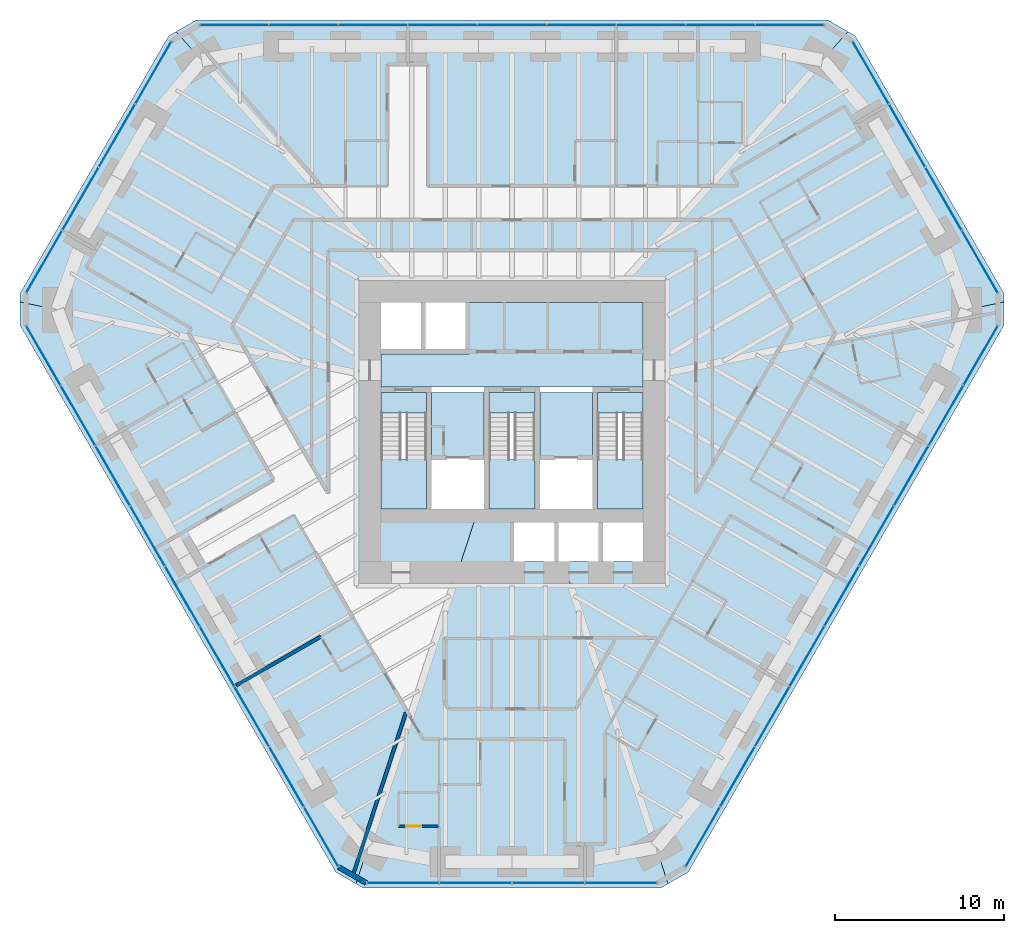
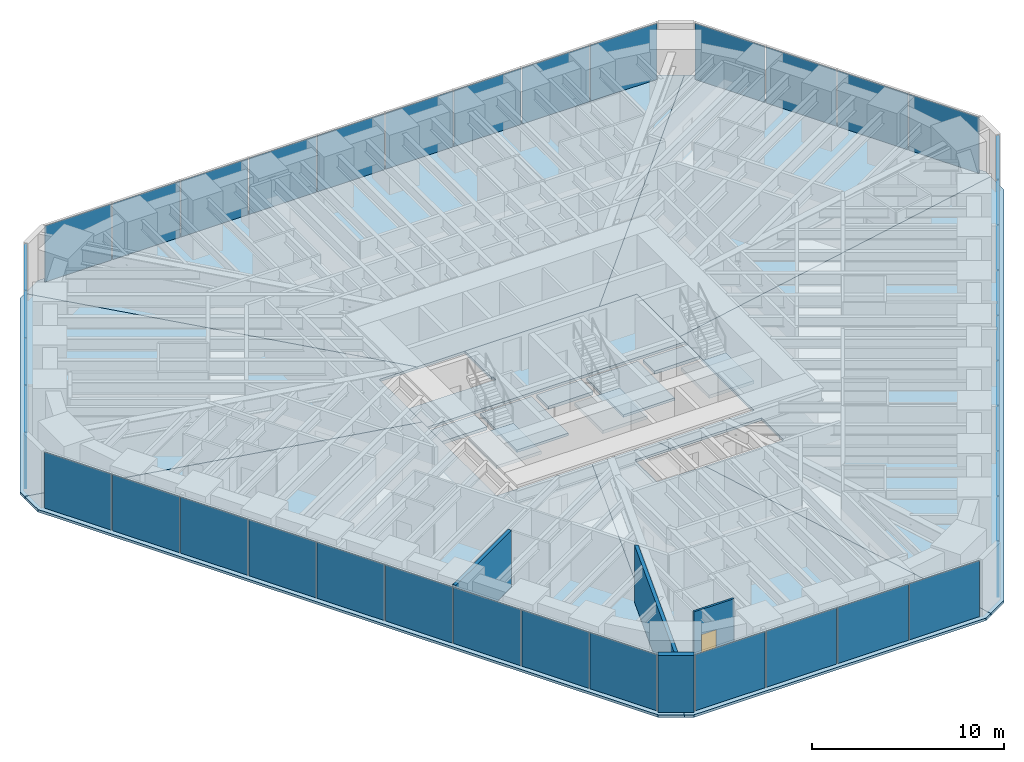
# One storey, part 10 of 16: 39 plates, 15 slabs, 4 walls, 1 door, 1 opening, 9 elements without a shape of their own.
"""IFC4 building model written with IfcOpenShell, lengths in metres."""

import ifcopenshell
import ifcopenshell.guid

model = None  # the IFC model being written
_history = None  # IfcOwnerHistory: only IFC2X3 demands one
_inside = {}  # id of a spatial element -> (the spatial element, [elements in it])
_under = {}  # id of a project, library or spatial element -> (it, [spatial elements below it])
_declared = {}  # id of a project -> (the project, [libraries it declares])
_typed = {}  # id of a type object -> (the type object, [elements of that type])
_made_of = {}  # id of a material, layer set ... -> (it, [elements and type objects made of it])


def new_model(schema):
    """Start an empty IFC model of exactly this schema.

    Asked for "IFC4X3", IfcOpenShell would pick the latest addendum, in which some entities
    have other attributes; the version numbers below select the first issue.
    IFC2X3 requires an IfcOwnerHistory on every rooted entity: one is made here for all.
    """
    global model, _history
    if schema == "IFC4X3":
        model = ifcopenshell.file(schema_version=(4, 3, 0, 0))
    else:
        model = ifcopenshell.file(schema=schema)
    _inside.clear()
    _under.clear()
    _declared.clear()
    _typed.clear()
    _made_of.clear()
    _history = None
    if model.schema == "IFC2X3":
        org = make("IfcOrganization", Name="unknown")
        user = make(
            "IfcPersonAndOrganization",
            ThePerson=make("IfcPerson", FamilyName="unknown"),
            TheOrganization=org,
        )
        app = make(
            "IfcApplication",
            ApplicationDeveloper=org,
            Version="unknown",
            ApplicationFullName="unknown",
            ApplicationIdentifier="unknown",
        )
        _history = make(
            "IfcOwnerHistory",
            OwningUser=user,
            OwningApplication=app,
            ChangeAction="ADDED",
            CreationDate=0,
        )
    return model


def make(cls, **values):
    """One entity of the class cls with the attributes given. An attribute that is None is left unset."""
    return model.create_entity(
        cls, **{name: value for name, value in values.items() if value is not None}
    )


def rooted(cls, **values):
    """An entity with a GlobalId (a new one), such as an element, a storey or a relation."""
    return make(cls, GlobalId=ifcopenshell.guid.new(), OwnerHistory=_history, **values)


def si_unit(unit_type, name, prefix=None):
    """IfcSIUnit, for example si_unit("LENGTHUNIT", "METRE", prefix="MILLI")."""
    return make("IfcSIUnit", UnitType=unit_type, Prefix=prefix, Name=name)


def assignment(units):
    """IfcUnitAssignment: the units of a project."""
    return None if units is None else make("IfcUnitAssignment", Units=units)


def point(xyz):
    """IfcCartesianPoint."""
    return None if xyz is None else make("IfcCartesianPoint", Coordinates=xyz)


def direction(xyz):
    """IfcDirection."""
    return None if xyz is None else make("IfcDirection", DirectionRatios=xyz)


def frame(location, z_axis=None, x_axis=None):
    """IfcAxis2Placement3D, a coordinate frame: its origin and axes. An axis left out is left unset."""
    return make(
        "IfcAxis2Placement3D",
        Location=point(location),
        Axis=direction(z_axis),
        RefDirection=direction(x_axis),
    )


def frame_2d(location, x_axis=None):
    """IfcAxis2Placement2D, a coordinate frame in the plane: its origin and x axis."""
    return make(
        "IfcAxis2Placement2D", Location=point(location), RefDirection=direction(x_axis)
    )


def origin():
    """The frame at (0, 0, 0) with its axes left unset."""
    return frame((0.0, 0.0, 0.0))


def origin_2d():
    """The frame at (0, 0) in the plane with its x axis left unset."""
    return frame_2d((0.0, 0.0))


def place(relative_to, where):
    """IfcLocalPlacement: puts the frame where relative to a parent placement (None: the world)."""
    return make(
        "IfcLocalPlacement", PlacementRelTo=relative_to, RelativePlacement=where
    )


def context(
    kind, dimensions, precision=None, world=None, true_north=None, identifier=None
):
    """IfcGeometricRepresentationContext, for example the 3D "Model" context."""
    return make(
        "IfcGeometricRepresentationContext",
        ContextIdentifier=identifier,
        ContextType=kind,
        CoordinateSpaceDimension=dimensions,
        Precision=precision,
        WorldCoordinateSystem=world,
        TrueNorth=true_north,
    )


def subcontext(parent, identifier, kind, view, scale=None):
    """IfcGeometricRepresentationSubContext, for example "Body" below "Model"."""
    return make(
        "IfcGeometricRepresentationSubContext",
        ContextIdentifier=identifier,
        ContextType=kind,
        ParentContext=parent,
        TargetScale=scale,
        TargetView=view,
    )


def project(units=None, contexts=None):
    """IfcProject with its units and contexts."""
    return rooted(
        "IfcProject",
        Name="project",
        RepresentationContexts=contexts,
        UnitsInContext=assignment(units),
    )


def spatial(cls, under=None, at=None, **own):
    """A site, building, storey or space (cls), placed at a placement, below another one or the project."""
    s = rooted(cls, ObjectPlacement=at, **own)
    if under is not None:
        _under.setdefault(under.id(), (under, []))[1].append(s)
    return s


def polyline(points):
    """IfcPolyline through the points."""
    return make("IfcPolyline", Points=[point(p) for p in points])


def profile(cls, at=None, kind="AREA", **sizes):
    """A parametric profile (cls). Its sizes go by their IFC names, for example OverallWidth=200.0."""
    return make(cls, ProfileType=kind, Position=at, **sizes)


def rectangle(**sizes):
    """IfcRectangleProfileDef."""
    return profile("IfcRectangleProfileDef", **sizes)


def outline(outer, holes=None, kind="AREA"):
    """IfcArbitraryClosedProfileDef: a profile drawn as a closed curve; with holes, ...WithVoids."""
    if holes is None:
        return make("IfcArbitraryClosedProfileDef", ProfileType=kind, OuterCurve=outer)
    return make(
        "IfcArbitraryProfileDefWithVoids",
        ProfileType=kind,
        OuterCurve=outer,
        InnerCurves=holes,
    )


def extrude(swept, where, along, depth):
    """IfcExtrudedAreaSolid: the profile swept, set in the frame where, extruded along a direction by depth."""
    return make(
        "IfcExtrudedAreaSolid",
        SweptArea=swept,
        Position=where,
        ExtrudedDirection=direction(along),
        Depth=depth,
    )


def shape(context_of_items, identifier, shape_type, items):
    """IfcShapeRepresentation: the items that make up one representation, for example the "Body"."""
    return make(
        "IfcShapeRepresentation",
        ContextOfItems=context_of_items,
        RepresentationIdentifier=identifier,
        RepresentationType=shape_type,
        Items=items,
    )


def material(Name=None, Category=None):
    """IfcMaterial."""
    return make("IfcMaterial", Name=Name, Category=Category)


def layer(
    of_material, thickness, ventilated=None, Name=None, Category=None, Priority=None
):
    """IfcMaterialLayer: one layer of a wall or slab, of a material (None: an air gap)."""
    return make(
        "IfcMaterialLayer",
        Material=of_material,
        LayerThickness=thickness,
        IsVentilated=ventilated,
        Name=Name,
        Category=Category,
        Priority=Priority,
    )


def layer_set(layers, Name=None):
    """IfcMaterialLayerSet."""
    return make("IfcMaterialLayerSet", MaterialLayers=layers, LayerSetName=Name)


def made_of(thing, what):
    """Note that an element or type object is made of a material, layer set ...; save() writes the relation."""
    if what is not None:
        _made_of.setdefault(what.id(), (what, []))[1].append(thing)
    return thing


def type_object(cls, material=None, **own):
    """A type object (cls), such as IfcWallType, which elements share."""
    return made_of(rooted(cls, **own), material)


def element(
    cls,
    number,
    at=None,
    inside=None,
    cuts=None,
    type_object=None,
    material=None,
    context=None,
    identifier="Body",
    shape_type=None,
    held_by="IfcProductDefinitionShape",
    body=None,
    shapes=None,
    **own,
):
    """One element of the class cls, such as IfcWall. Its Tag is "e" and its number.

    at: its placement. inside: the storey or other place that contains it. cuts: it is an
    opening in that element (IfcRelVoidsElement). A single representation is given by context,
    identifier, shape_type and body (its items); several are given by shapes. held_by: the class
    of the entity that holds the representations. save() writes the other relations.
    """
    e = rooted(cls, Tag="e%d" % number, ObjectPlacement=at, **own)
    if body is not None:
        shapes = [shape(context, identifier, shape_type, body)]
    if shapes is not None:
        e.Representation = make(held_by, Representations=shapes)
    if inside is not None:
        _inside.setdefault(inside.id(), (inside, []))[1].append(e)
    if cuts is not None:
        rooted(
            "IfcRelVoidsElement", RelatingBuildingElement=cuts, RelatedOpeningElement=e
        )
    if type_object is not None:
        _typed.setdefault(type_object.id(), (type_object, []))[1].append(e)
    return made_of(e, material)


def fill(opening, filler):
    """IfcRelFillsElement: the door or window that sits in an opening."""
    return rooted(
        "IfcRelFillsElement",
        RelatingOpeningElement=opening,
        RelatedBuildingElement=filler,
    )


def aggregate(whole, parts):
    """IfcRelAggregates: a whole, such as a stair, and the parts it consists of."""
    return rooted("IfcRelAggregates", RelatingObject=whole, RelatedObjects=parts)


def save(model, path):
    """Write the relations noted so far, then the file.

    IfcRelAggregates (storeys below a building ...), IfcRelContainedInSpatialStructure (elements
    in a storey), IfcRelDefinesByType, IfcRelAssociatesMaterial and IfcRelDeclares: one each for
    every whole, place, type object, material and project.
    """
    for whole, parts in _under.values():
        aggregate(whole, parts)
    for where, things in _inside.values():
        rooted(
            "IfcRelContainedInSpatialStructure",
            RelatedElements=things,
            RelatingStructure=where,
        )
    for kind, things in _typed.values():
        rooted("IfcRelDefinesByType", RelatedObjects=things, RelatingType=kind)
    for what, things in _made_of.values():
        rooted("IfcRelAssociatesMaterial", RelatedObjects=things, RelatingMaterial=what)
    for by, libraries in _declared.values():
        rooted("IfcRelDeclares", RelatingContext=by, RelatedDefinitions=libraries)
    model.write(path)


model = new_model("IFC4")

# Units and contexts
model_context = context("Model", 3, precision=1e-05, world=origin(), true_north=direction((0.0, 1.0)))
body_context = subcontext(model_context, "Body", "Model", "MODEL_VIEW")
ifc_project = project(units=[si_unit("LENGTHUNIT", "METRE"), si_unit("AREAUNIT", "SQUARE_METRE"), si_unit("VOLUMEUNIT", "CUBIC_METRE"), si_unit("PLANEANGLEUNIT", "RADIAN"), si_unit("MASSUNIT", "GRAM", prefix="KILO")], contexts=[model_context])

# Site, building, storey
site_placement = place(None, origin())
site = spatial("IfcSite", under=ifc_project, at=site_placement, CompositionType="ELEMENT")
building_placement = place(site_placement, origin())
building = spatial("IfcBuilding", under=site, at=building_placement, Name="Sandreach Pilgrim Tower", CompositionType="ELEMENT")
storey_placement = place(building_placement, frame((0.0, 0.0, 115.800048828125)))
storey = spatial("IfcBuildingStorey", under=building, at=storey_placement, Name="L28", CompositionType="ELEMENT", Elevation=115.800048828125)

# Curtain wall, plates
ifc_material_1 = material(Name="Aluminium framed curtain wall", Category="aluminium")
curtain_wall_type = type_object("IfcCurtainWallType", Name="Hotel tower curtain wall", PredefinedType="NOTDEFINED", material=ifc_material_1)
curtain_wall_1_placement = place(storey_placement, origin())
curtain_wall_1 = element("IfcCurtainWall", 1, at=curtain_wall_1_placement, inside=storey, type_object=curtain_wall_type, Name="CW-2 L28 N", PredefinedType="NOTDEFINED")
ifc_material_2 = material(Name="Insulating glass unit 8 heat-strengthened + 16 argon + 8 heat-strengthened", Category="glass")
ifc_layer_1 = layer(ifc_material_2, 0.031982421875)
ifc_layer_set_1 = layer_set([ifc_layer_1], Name="CW-2 panel")
plate_type = type_object("IfcPlateType", Name="CW-2 panel", PredefinedType="CURTAIN_PANEL", material=ifc_layer_set_1)
plate_1_placement = place(storey_placement, frame((-16.41162109375, 22.493896484375, 0.0), z_axis=(0.0, 0.0, 1.0), x_axis=(1.0, 0.0, 0.0)))
plate_1 = element("IfcPlate", 2, at=plate_1_placement, type_object=plate_type, Name="CW-2 panel 1", PredefinedType="CURTAIN_PANEL", context=body_context, shape_type="SweptSolid", body=[
    extrude(rectangle(XDim=4.009521484375, YDim=0.031982421875, at=origin_2d()), origin(), (0.0, 0.0, 1.0), 3.570068359375),
])
plate_2_placement = place(storey_placement, frame((-12.32080078125, 22.493896484375, 0.0), z_axis=(0.0, 0.0, 1.0), x_axis=(1.0, 0.0, 0.0)))
plate_2 = element("IfcPlate", 3, at=plate_2_placement, type_object=plate_type, Name="CW-2 panel 2", PredefinedType="CURTAIN_PANEL", context=body_context, shape_type="SweptSolid", body=[
    extrude(rectangle(XDim=4.0419921875, YDim=0.031982421875, at=origin_2d()), origin(), (0.0, 0.0, 1.0), 3.570068359375),
])
plate_3_placement = place(storey_placement, frame((-8.2138671875, 22.493896484375, 0.0), z_axis=(0.0, 0.0, 1.0), x_axis=(1.0, 0.0, 0.0)))
plate_3 = element("IfcPlate", 4, at=plate_3_placement, type_object=plate_type, Name="CW-2 panel 3", PredefinedType="CURTAIN_PANEL", context=body_context, shape_type="SweptSolid", body=[
    extrude(rectangle(XDim=4.0419921875, YDim=0.031982421875, at=origin_2d()), origin(), (0.0, 0.0, 1.0), 3.570068359375),
])
plate_4_placement = place(storey_placement, frame((-4.10693359375, 22.493896484375, 0.0), z_axis=(0.0, 0.0, 1.0), x_axis=(1.0, 0.0, 0.0)))
plate_4 = element("IfcPlate", 5, at=plate_4_placement, type_object=plate_type, Name="CW-2 panel 4", PredefinedType="CURTAIN_PANEL", context=body_context, shape_type="SweptSolid", body=[
    extrude(rectangle(XDim=4.0419921875, YDim=0.031982421875, at=origin_2d()), origin(), (0.0, 0.0, 1.0), 3.570068359375),
])
plate_5_placement = place(storey_placement, frame((0.0, 22.493896484375, 0.0), z_axis=(0.0, 0.0, 1.0), x_axis=(1.0, 0.0, 0.0)))
plate_5 = element("IfcPlate", 6, at=plate_5_placement, type_object=plate_type, Name="CW-2 panel 5", PredefinedType="CURTAIN_PANEL", context=body_context, shape_type="SweptSolid", body=[
    extrude(rectangle(XDim=4.0419921875, YDim=0.031982421875, at=origin_2d()), origin(), (0.0, 0.0, 1.0), 3.570068359375),
])
plate_6_placement = place(storey_placement, frame((4.10693359375, 22.493896484375, 0.0), z_axis=(0.0, 0.0, 1.0), x_axis=(1.0, 0.0, 0.0)))
plate_6 = element("IfcPlate", 7, at=plate_6_placement, type_object=plate_type, Name="CW-2 panel 6", PredefinedType="CURTAIN_PANEL", context=body_context, shape_type="SweptSolid", body=[
    extrude(rectangle(XDim=4.0419921875, YDim=0.031982421875, at=origin_2d()), origin(), (0.0, 0.0, 1.0), 3.570068359375),
])
plate_7_placement = place(storey_placement, frame((8.2138671875, 22.493896484375, 0.0), z_axis=(0.0, 0.0, 1.0), x_axis=(1.0, 0.0, 0.0)))
plate_7 = element("IfcPlate", 8, at=plate_7_placement, type_object=plate_type, Name="CW-2 panel 7", PredefinedType="CURTAIN_PANEL", context=body_context, shape_type="SweptSolid", body=[
    extrude(rectangle(XDim=4.0419921875, YDim=0.031982421875, at=origin_2d()), origin(), (0.0, 0.0, 1.0), 3.570068359375),
])
plate_8_placement = place(storey_placement, frame((12.32080078125, 22.493896484375, 0.0), z_axis=(0.0, 0.0, 1.0), x_axis=(1.0, 0.0, 0.0)))
plate_8 = element("IfcPlate", 9, at=plate_8_placement, type_object=plate_type, Name="CW-2 panel 8", PredefinedType="CURTAIN_PANEL", context=body_context, shape_type="SweptSolid", body=[
    extrude(rectangle(XDim=4.0419921875, YDim=0.031982421875, at=origin_2d()), origin(), (0.0, 0.0, 1.0), 3.570068359375),
])
plate_9_placement = place(storey_placement, frame((16.41162109375, 22.493896484375, 0.0), z_axis=(0.0, 0.0, 1.0), x_axis=(1.0, 0.0, 0.0)))
plate_9 = element("IfcPlate", 10, at=plate_9_placement, type_object=plate_type, Name="CW-2 panel 9", PredefinedType="CURTAIN_PANEL", context=body_context, shape_type="SweptSolid", body=[
    extrude(rectangle(XDim=4.009521484375, YDim=0.031982421875, at=origin_2d()), origin(), (0.0, 0.0, 1.0), 3.570068359375),
])
aggregate(curtain_wall_1, [plate_1, plate_2, plate_3, plate_4, plate_5, plate_6, plate_7, plate_8, plate_9])

curtain_wall_2_placement = place(storey_placement, origin())
curtain_wall_2 = element("IfcCurtainWall", 11, at=curtain_wall_2_placement, inside=storey, type_object=curtain_wall_type, Name="CW-2 L28 NE", PredefinedType="NOTDEFINED")
plate_10_placement = place(storey_placement, frame((21.194091796875, 19.67529296875, 0.0), z_axis=(0.0, 0.0, 1.0), x_axis=(0.5, -0.866025403784, 0.0)))
plate_10 = element("IfcPlate", 12, at=plate_10_placement, type_object=plate_type, Name="CW-2 panel 1", PredefinedType="CURTAIN_PANEL", context=body_context, shape_type="SweptSolid", body=[
    extrude(rectangle(XDim=4.208251953125, YDim=0.031982421875, at=origin_2d()), origin(), (0.0, 0.0, 1.0), 3.570068359375),
])
plate_11_placement = place(storey_placement, frame((23.3388671875, 15.96044921875, 0.0), z_axis=(0.0, 0.0, 1.0), x_axis=(0.5, -0.866025403784, 0.0)))
plate_11 = element("IfcPlate", 13, at=plate_11_placement, type_object=plate_type, Name="CW-2 panel 2", PredefinedType="CURTAIN_PANEL", context=body_context, shape_type="SweptSolid", body=[
    extrude(rectangle(XDim=4.24072265625, YDim=0.031982421875, at=origin_2d()), origin(), (0.0, 0.0, 1.0), 3.570068359375),
])
plate_12_placement = place(storey_placement, frame((25.49169921875, 12.231689453125, 0.0), z_axis=(0.0, 0.0, 1.0), x_axis=(0.5, -0.866025403784, 0.0)))
plate_12 = element("IfcPlate", 14, at=plate_12_placement, type_object=plate_type, Name="CW-2 panel 3", PredefinedType="CURTAIN_PANEL", context=body_context, shape_type="SweptSolid", body=[
    extrude(rectangle(XDim=4.24072265625, YDim=0.031982421875, at=origin_2d()), origin(), (0.0, 0.0, 1.0), 3.570068359375),
])
plate_13_placement = place(storey_placement, frame((27.63623046875, 8.516845703125, 0.0), z_axis=(0.0, 0.0, 1.0), x_axis=(0.5, -0.866025403784, 0.0)))
plate_13 = element("IfcPlate", 15, at=plate_13_placement, type_object=plate_type, Name="CW-2 panel 4", PredefinedType="CURTAIN_PANEL", context=body_context, shape_type="SweptSolid", body=[
    extrude(rectangle(XDim=4.208251953125, YDim=0.031982421875, at=origin_2d()), origin(), (0.0, 0.0, 1.0), 3.570068359375),
])
aggregate(curtain_wall_2, [plate_10, plate_11, plate_12, plate_13])

curtain_wall_3_placement = place(storey_placement, origin())
curtain_wall_3 = element("IfcCurtainWall", 16, at=curtain_wall_3_placement, inside=storey, type_object=curtain_wall_type, Name="CW-2 L28 SE", PredefinedType="NOTDEFINED")
plate_14_placement = place(storey_placement, frame((27.68603515625, 2.966064453125, 0.0), z_axis=(0.0, 0.0, 1.0), x_axis=(-0.5, -0.866025403784, 0.0)))
plate_14 = element("IfcPlate", 17, at=plate_14_placement, type_object=plate_type, Name="CW-2 panel 1", PredefinedType="CURTAIN_PANEL", context=body_context, shape_type="SweptSolid", body=[
    extrude(rectangle(XDim=4.009521484375, YDim=0.031982421875, at=origin_2d()), origin(), (0.0, 0.0, 1.0), 3.570068359375),
])
plate_15_placement = place(storey_placement, frame((25.640625, -0.57666015625, 0.0), z_axis=(0.0, 0.0, 1.0), x_axis=(-0.5, -0.866025403784, 0.0)))
plate_15 = element("IfcPlate", 18, at=plate_15_placement, type_object=plate_type, Name="CW-2 panel 2", PredefinedType="CURTAIN_PANEL", context=body_context, shape_type="SweptSolid", body=[
    extrude(rectangle(XDim=4.0419921875, YDim=0.031982421875, at=origin_2d()), origin(), (0.0, 0.0, 1.0), 3.570068359375),
])
plate_16_placement = place(storey_placement, frame((23.587158203125, -4.13330078125, 0.0), z_axis=(0.0, 0.0, 1.0), x_axis=(-0.5, -0.866025403784, 0.0)))
plate_16 = element("IfcPlate", 19, at=plate_16_placement, type_object=plate_type, Name="CW-2 panel 3", PredefinedType="CURTAIN_PANEL", context=body_context, shape_type="SweptSolid", body=[
    extrude(rectangle(XDim=4.0419921875, YDim=0.031982421875, at=origin_2d()), origin(), (0.0, 0.0, 1.0), 3.570068359375),
])
plate_17_placement = place(storey_placement, frame((21.53369140625, -7.690185546875, 0.0), z_axis=(0.0, 0.0, 1.0), x_axis=(-0.5, -0.866025403784, 0.0)))
plate_17 = element("IfcPlate", 20, at=plate_17_placement, type_object=plate_type, Name="CW-2 panel 4", PredefinedType="CURTAIN_PANEL", context=body_context, shape_type="SweptSolid", body=[
    extrude(rectangle(XDim=4.0419921875, YDim=0.031982421875, at=origin_2d()), origin(), (0.0, 0.0, 1.0), 3.570068359375),
])
plate_18_placement = place(storey_placement, frame((19.480224609375, -11.246826171875, 0.0), z_axis=(0.0, 0.0, 1.0), x_axis=(-0.5, -0.866025403784, 0.0)))
plate_18 = element("IfcPlate", 21, at=plate_18_placement, type_object=plate_type, Name="CW-2 panel 5", PredefinedType="CURTAIN_PANEL", context=body_context, shape_type="SweptSolid", body=[
    extrude(rectangle(XDim=4.0419921875, YDim=0.031982421875, at=origin_2d()), origin(), (0.0, 0.0, 1.0), 3.570068359375),
])
plate_19_placement = place(storey_placement, frame((17.4267578125, -14.8037109375, 0.0), z_axis=(0.0, 0.0, 1.0), x_axis=(-0.5, -0.866025403784, 0.0)))
plate_19 = element("IfcPlate", 22, at=plate_19_placement, type_object=plate_type, Name="CW-2 panel 6", PredefinedType="CURTAIN_PANEL", context=body_context, shape_type="SweptSolid", body=[
    extrude(rectangle(XDim=4.0419921875, YDim=0.031982421875, at=origin_2d()), origin(), (0.0, 0.0, 1.0), 3.570068359375),
])
plate_20_placement = place(storey_placement, frame((15.373291015625, -18.3603515625, 0.0), z_axis=(0.0, 0.0, 1.0), x_axis=(-0.5, -0.866025403784, 0.0)))
plate_20 = element("IfcPlate", 23, at=plate_20_placement, type_object=plate_type, Name="CW-2 panel 7", PredefinedType="CURTAIN_PANEL", context=body_context, shape_type="SweptSolid", body=[
    extrude(rectangle(XDim=4.0419921875, YDim=0.031982421875, at=origin_2d()), origin(), (0.0, 0.0, 1.0), 3.570068359375),
])
plate_21_placement = place(storey_placement, frame((13.31982421875, -21.917236328125, 0.0), z_axis=(0.0, 0.0, 1.0), x_axis=(-0.5, -0.866025403784, 0.0)))
plate_21 = element("IfcPlate", 24, at=plate_21_placement, type_object=plate_type, Name="CW-2 panel 8", PredefinedType="CURTAIN_PANEL", context=body_context, shape_type="SweptSolid", body=[
    extrude(rectangle(XDim=4.0419921875, YDim=0.031982421875, at=origin_2d()), origin(), (0.0, 0.0, 1.0), 3.570068359375),
])
plate_22_placement = place(storey_placement, frame((11.2744140625, -25.459716796875, 0.0), z_axis=(0.0, 0.0, 1.0), x_axis=(-0.5, -0.866025403784, 0.0)))
plate_22 = element("IfcPlate", 25, at=plate_22_placement, type_object=plate_type, Name="CW-2 panel 9", PredefinedType="CURTAIN_PANEL", context=body_context, shape_type="SweptSolid", body=[
    extrude(rectangle(XDim=4.009521484375, YDim=0.031982421875, at=origin_2d()), origin(), (0.0, 0.0, 1.0), 3.570068359375),
])
aggregate(curtain_wall_3, [plate_14, plate_15, plate_16, plate_17, plate_18, plate_19, plate_20, plate_21, plate_22])

curtain_wall_4_placement = place(storey_placement, origin())
curtain_wall_4 = element("IfcCurtainWall", 26, at=curtain_wall_4_placement, inside=storey, type_object=curtain_wall_type, Name="CW-2 L28 S", PredefinedType="NOTDEFINED")
plate_23_placement = place(storey_placement, frame((6.4423828125, -28.192138671875, 0.0), z_axis=(0.0, 0.0, 1.0), x_axis=(-1.0, 0.0, 0.0)))
plate_23 = element("IfcPlate", 27, at=plate_23_placement, type_object=plate_type, Name="CW-2 panel 1", PredefinedType="CURTAIN_PANEL", context=body_context, shape_type="SweptSolid", body=[
    extrude(rectangle(XDim=4.208251953125, YDim=0.031982421875, at=origin_2d()), origin(), (0.0, 0.0, 1.0), 3.570068359375),
])
plate_24_placement = place(storey_placement, frame((2.15283203125, -28.192138671875, 0.0), z_axis=(0.0, 0.0, 1.0), x_axis=(-1.0, 0.0, 0.0)))
plate_24 = element("IfcPlate", 28, at=plate_24_placement, type_object=plate_type, Name="CW-2 panel 2", PredefinedType="CURTAIN_PANEL", context=body_context, shape_type="SweptSolid", body=[
    extrude(rectangle(XDim=4.24072265625, YDim=0.031982421875, at=origin_2d()), origin(), (0.0, 0.0, 1.0), 3.570068359375),
])
plate_25_placement = place(storey_placement, frame((-2.15283203125, -28.192138671875, 0.0), z_axis=(0.0, 0.0, 1.0), x_axis=(-1.0, 0.0, 0.0)))
plate_25 = element("IfcPlate", 29, at=plate_25_placement, type_object=plate_type, Name="CW-2 panel 3", PredefinedType="CURTAIN_PANEL", context=body_context, shape_type="SweptSolid", body=[
    extrude(rectangle(XDim=4.24072265625, YDim=0.031982421875, at=origin_2d()), origin(), (0.0, 0.0, 1.0), 3.570068359375),
])
plate_26_placement = place(storey_placement, frame((-6.4423828125, -28.192138671875, 0.0), z_axis=(0.0, 0.0, 1.0), x_axis=(-1.0, 0.0, 0.0)))
plate_26 = element("IfcPlate", 30, at=plate_26_placement, type_object=plate_type, Name="CW-2 panel 4", PredefinedType="CURTAIN_PANEL", context=body_context, shape_type="SweptSolid", body=[
    extrude(rectangle(XDim=4.208251953125, YDim=0.031982421875, at=origin_2d()), origin(), (0.0, 0.0, 1.0), 3.570068359375),
])
aggregate(curtain_wall_4, [plate_23, plate_24, plate_25, plate_26])

curtain_wall_5_placement = place(storey_placement, origin())
curtain_wall_5 = element("IfcCurtainWall", 31, at=curtain_wall_5_placement, inside=storey, type_object=curtain_wall_type, Name="CW-2 L28 SW", PredefinedType="NOTDEFINED")
plate_27_placement = place(storey_placement, frame((-11.2744140625, -25.459716796875, 0.0), z_axis=(0.0, 0.0, 1.0), x_axis=(-0.5, 0.866025403784, 0.0)))
plate_27 = element("IfcPlate", 32, at=plate_27_placement, type_object=plate_type, Name="CW-2 panel 1", PredefinedType="CURTAIN_PANEL", context=body_context, shape_type="SweptSolid", body=[
    extrude(rectangle(XDim=4.009521484375, YDim=0.031982421875, at=origin_2d()), origin(), (0.0, 0.0, 1.0), 3.570068359375),
])
plate_28_placement = place(storey_placement, frame((-13.31982421875, -21.917236328125, 0.0), z_axis=(0.0, 0.0, 1.0), x_axis=(-0.5, 0.866025403784, 0.0)))
plate_28 = element("IfcPlate", 33, at=plate_28_placement, type_object=plate_type, Name="CW-2 panel 2", PredefinedType="CURTAIN_PANEL", context=body_context, shape_type="SweptSolid", body=[
    extrude(rectangle(XDim=4.0419921875, YDim=0.031982421875, at=origin_2d()), origin(), (0.0, 0.0, 1.0), 3.570068359375),
])
plate_29_placement = place(storey_placement, frame((-15.373291015625, -18.3603515625, 0.0), z_axis=(0.0, 0.0, 1.0), x_axis=(-0.5, 0.866025403784, 0.0)))
plate_29 = element("IfcPlate", 34, at=plate_29_placement, type_object=plate_type, Name="CW-2 panel 3", PredefinedType="CURTAIN_PANEL", context=body_context, shape_type="SweptSolid", body=[
    extrude(rectangle(XDim=4.0419921875, YDim=0.031982421875, at=origin_2d()), origin(), (0.0, 0.0, 1.0), 3.570068359375),
])
plate_30_placement = place(storey_placement, frame((-17.4267578125, -14.8037109375, 0.0), z_axis=(0.0, 0.0, 1.0), x_axis=(-0.5, 0.866025403784, 0.0)))
plate_30 = element("IfcPlate", 35, at=plate_30_placement, type_object=plate_type, Name="CW-2 panel 4", PredefinedType="CURTAIN_PANEL", context=body_context, shape_type="SweptSolid", body=[
    extrude(rectangle(XDim=4.0419921875, YDim=0.031982421875, at=origin_2d()), origin(), (0.0, 0.0, 1.0), 3.570068359375),
])
plate_31_placement = place(storey_placement, frame((-19.480224609375, -11.246826171875, 0.0), z_axis=(0.0, 0.0, 1.0), x_axis=(-0.5, 0.866025403784, 0.0)))
plate_31 = element("IfcPlate", 36, at=plate_31_placement, type_object=plate_type, Name="CW-2 panel 5", PredefinedType="CURTAIN_PANEL", context=body_context, shape_type="SweptSolid", body=[
    extrude(rectangle(XDim=4.0419921875, YDim=0.031982421875, at=origin_2d()), origin(), (0.0, 0.0, 1.0), 3.570068359375),
])
plate_32_placement = place(storey_placement, frame((-21.53369140625, -7.690185546875, 0.0), z_axis=(0.0, 0.0, 1.0), x_axis=(-0.5, 0.866025403784, 0.0)))
plate_32 = element("IfcPlate", 37, at=plate_32_placement, type_object=plate_type, Name="CW-2 panel 6", PredefinedType="CURTAIN_PANEL", context=body_context, shape_type="SweptSolid", body=[
    extrude(rectangle(XDim=4.0419921875, YDim=0.031982421875, at=origin_2d()), origin(), (0.0, 0.0, 1.0), 3.570068359375),
])
plate_33_placement = place(storey_placement, frame((-23.587158203125, -4.13330078125, 0.0), z_axis=(0.0, 0.0, 1.0), x_axis=(-0.5, 0.866025403784, 0.0)))
plate_33 = element("IfcPlate", 38, at=plate_33_placement, type_object=plate_type, Name="CW-2 panel 7", PredefinedType="CURTAIN_PANEL", context=body_context, shape_type="SweptSolid", body=[
    extrude(rectangle(XDim=4.0419921875, YDim=0.031982421875, at=origin_2d()), origin(), (0.0, 0.0, 1.0), 3.570068359375),
])
plate_34_placement = place(storey_placement, frame((-25.640625, -0.57666015625, 0.0), z_axis=(0.0, 0.0, 1.0), x_axis=(-0.5, 0.866025403784, 0.0)))
plate_34 = element("IfcPlate", 39, at=plate_34_placement, type_object=plate_type, Name="CW-2 panel 8", PredefinedType="CURTAIN_PANEL", context=body_context, shape_type="SweptSolid", body=[
    extrude(rectangle(XDim=4.0419921875, YDim=0.031982421875, at=origin_2d()), origin(), (0.0, 0.0, 1.0), 3.570068359375),
])
plate_35_placement = place(storey_placement, frame((-27.68603515625, 2.966064453125, 0.0), z_axis=(0.0, 0.0, 1.0), x_axis=(-0.5, 0.866025403784, 0.0)))
plate_35 = element("IfcPlate", 40, at=plate_35_placement, type_object=plate_type, Name="CW-2 panel 9", PredefinedType="CURTAIN_PANEL", context=body_context, shape_type="SweptSolid", body=[
    extrude(rectangle(XDim=4.009521484375, YDim=0.031982421875, at=origin_2d()), origin(), (0.0, 0.0, 1.0), 3.570068359375),
])
aggregate(curtain_wall_5, [plate_27, plate_28, plate_29, plate_30, plate_31, plate_32, plate_33, plate_34, plate_35])

curtain_wall_6_placement = place(storey_placement, origin())
curtain_wall_6 = element("IfcCurtainWall", 41, at=curtain_wall_6_placement, inside=storey, type_object=curtain_wall_type, Name="CW-2 L28 NW", PredefinedType="NOTDEFINED")
plate_36_placement = place(storey_placement, frame((-27.63623046875, 8.516845703125, 0.0), z_axis=(0.0, 0.0, 1.0), x_axis=(0.5, 0.866025403784, 0.0)))
plate_36 = element("IfcPlate", 42, at=plate_36_placement, type_object=plate_type, Name="CW-2 panel 1", PredefinedType="CURTAIN_PANEL", context=body_context, shape_type="SweptSolid", body=[
    extrude(rectangle(XDim=4.208251953125, YDim=0.031982421875, at=origin_2d()), origin(), (0.0, 0.0, 1.0), 3.570068359375),
])
plate_37_placement = place(storey_placement, frame((-25.49169921875, 12.231689453125, 0.0), z_axis=(0.0, 0.0, 1.0), x_axis=(0.5, 0.866025403784, 0.0)))
plate_37 = element("IfcPlate", 43, at=plate_37_placement, type_object=plate_type, Name="CW-2 panel 2", PredefinedType="CURTAIN_PANEL", context=body_context, shape_type="SweptSolid", body=[
    extrude(rectangle(XDim=4.24072265625, YDim=0.031982421875, at=origin_2d()), origin(), (0.0, 0.0, 1.0), 3.570068359375),
])
plate_38_placement = place(storey_placement, frame((-23.3388671875, 15.96044921875, 0.0), z_axis=(0.0, 0.0, 1.0), x_axis=(0.5, 0.866025403784, 0.0)))
plate_38 = element("IfcPlate", 44, at=plate_38_placement, type_object=plate_type, Name="CW-2 panel 3", PredefinedType="CURTAIN_PANEL", context=body_context, shape_type="SweptSolid", body=[
    extrude(rectangle(XDim=4.24072265625, YDim=0.031982421875, at=origin_2d()), origin(), (0.0, 0.0, 1.0), 3.570068359375),
])
plate_39_placement = place(storey_placement, frame((-21.194091796875, 19.67529296875, 0.0), z_axis=(0.0, 0.0, 1.0), x_axis=(0.5, 0.866025403784, 0.0)))
plate_39 = element("IfcPlate", 45, at=plate_39_placement, type_object=plate_type, Name="CW-2 panel 4", PredefinedType="CURTAIN_PANEL", context=body_context, shape_type="SweptSolid", body=[
    extrude(rectangle(XDim=4.208251953125, YDim=0.031982421875, at=origin_2d()), origin(), (0.0, 0.0, 1.0), 3.570068359375),
])
aggregate(curtain_wall_6, [plate_36, plate_37, plate_38, plate_39])

# Slabs
ifc_material_3 = material(Name="Concrete 8000 psi", Category="concrete")
ifc_layer_2 = layer(ifc_material_3, 0.159912109375)
ifc_layer_set_2 = layer_set([ifc_layer_2], Name="Composite floor slab 160")
slab_type_1 = type_object("IfcSlabType", Name="Composite floor slab 160", PredefinedType="FLOOR", material=ifc_layer_set_2)
slab_1_placement = place(storey_placement, frame((0.0, 0.0, -0.16015625)))
element("IfcSlab", 46, at=slab_1_placement, inside=storey, type_object=slab_type_1, Name="Floor slab L28 N sector", PredefinedType="FLOOR", context=body_context, shape_type="SweptSolid", body=[
    extrude(outline(polyline([(-18.654541015625, 22.793701171875), (18.654541015625, 22.793701171875), (19.848388671875, 22.1044921875), (5.477294921875, 6.10009765625), (-5.477294921875, 6.10009765625), (-19.848388671875, 22.1044921875), (-18.654541015625, 22.793701171875)])), origin(), (0.0, 0.0, 1.0), 0.16015625),
])
slab_2_placement = place(storey_placement, frame((0.0, 0.0, -0.16015625)))
element("IfcSlab", 47, at=slab_2_placement, inside=storey, type_object=slab_type_1, Name="Floor slab L28 NE sector", PredefinedType="FLOOR", context=body_context, shape_type="SweptSolid", body=[
    extrude(outline(polyline([(20.28271484375, 21.853759765625), (29.0673828125, 6.638427734375), (29.0673828125, 6.13720703125), (7.75, 1.63623046875), (7.75, 6.10009765625), (5.477294921875, 6.10009765625), (19.848388671875, 22.1044921875), (20.28271484375, 21.853759765625)])), origin(), (0.0, 0.0, 1.0), 0.16015625),
])
slab_3_placement = place(storey_placement, frame((0.0, 0.0, -0.16015625)))
element("IfcSlab", 48, at=slab_3_placement, inside=storey, type_object=slab_type_1, Name="Floor slab L28 SE sector", PredefinedType="FLOOR", context=body_context, shape_type="SweptSolid", body=[
    extrude(outline(polyline([(29.0673828125, 4.75830078125), (10.41259765625, -27.55224609375), (9.21875, -28.241455078125), (3.003173828125, -9.199951171875), (7.75, -9.199951171875), (7.75, -6.89990234375), (2.252197265625, -6.89990234375), (1.9912109375, -6.10009765625), (7.75, -6.10009765625), (7.75, 1.63623046875), (29.0673828125, 6.13720703125), (29.0673828125, 4.75830078125)])), origin(), (0.0, 0.0, 1.0), 0.16015625),
])
slab_4_placement = place(storey_placement, frame((0.0, 0.0, -0.16015625)))
element("IfcSlab", 49, at=slab_4_placement, inside=storey, type_object=slab_type_1, Name="Floor slab L28 S sector", PredefinedType="FLOOR", context=body_context, shape_type="SweptSolid", body=[
    extrude(outline(polyline([(8.78466796875, -28.4921875), (-8.78466796875, -28.4921875), (-9.21875, -28.241455078125), (-1.9912109375, -6.10009765625), (1.9912109375, -6.10009765625), (2.252197265625, -6.89990234375), (0.125, -6.89990234375), (0.125, -9.199951171875), (3.003173828125, -9.199951171875), (9.21875, -28.241455078125), (8.78466796875, -28.4921875)])), origin(), (0.0, 0.0, 1.0), 0.16015625),
])
slab_5_placement = place(storey_placement, frame((0.0, 0.0, -0.16015625)))
element("IfcSlab", 50, at=slab_5_placement, inside=storey, type_object=slab_type_1, Name="Floor slab L28 SW sector", PredefinedType="FLOOR", context=body_context, shape_type="SweptSolid", body=[
    extrude(outline(polyline([(-10.41259765625, -27.55224609375), (-29.0673828125, 4.75830078125), (-29.0673828125, 6.13720703125), (-7.75, 1.63623046875), (-7.75, -6.10009765625), (-1.9912109375, -6.10009765625), (-9.21875, -28.241455078125), (-10.41259765625, -27.55224609375)])), origin(), (0.0, 0.0, 1.0), 0.16015625),
])
slab_6_placement = place(storey_placement, frame((0.0, 0.0, -0.16015625)))
element("IfcSlab", 51, at=slab_6_placement, inside=storey, type_object=slab_type_1, Name="Floor slab L28 NW sector", PredefinedType="FLOOR", context=body_context, shape_type="SweptSolid", body=[
    extrude(outline(polyline([(-29.0673828125, 6.638427734375), (-20.28271484375, 21.853759765625), (-19.848388671875, 22.1044921875), (-5.477294921875, 6.10009765625), (-7.75, 6.10009765625), (-7.75, 1.63623046875), (-29.0673828125, 6.13720703125), (-29.0673828125, 6.638427734375)])), origin(), (0.0, 0.0, 1.0), 0.16015625),
])
slab_7_placement = place(storey_placement, frame((0.0, 0.0, -0.16015625)))
element("IfcSlab", 52, at=slab_7_placement, inside=storey, type_object=slab_type_1, Name="Core floor slab and stores L28", PredefinedType="FLOOR", context=body_context, shape_type="SweptSolid", body=[
    extrude(outline(polyline([(-7.75, 3.050048828125), (-5.375, 3.050048828125), (-5.125, 3.050048828125), (-2.5, 3.050048828125), (-2.5, 3.35009765625), (-2.60009765625, 3.35009765625), (-2.60009765625, 6.10009765625), (7.75, 6.10009765625), (7.75, 1.10009765625), (5.050048828125, 1.10009765625), (4.75, 1.10009765625), (1.64990234375, 1.10009765625), (1.35009765625, 1.10009765625), (-1.35009765625, 1.10009765625), (-1.64990234375, 1.10009765625), (-4.75, 1.10009765625), (-5.050048828125, 1.10009765625), (-7.75, 1.10009765625), (-7.75, 3.050048828125)])), origin(), (0.0, 0.0, 1.0), 0.16015625),
])
slab_8_placement = place(storey_placement, frame((0.0, 0.0, -0.16015625)))
element("IfcSlab", 53, at=slab_8_placement, inside=storey, type_object=slab_type_1, Name="Core floor slab and stores L28 2", PredefinedType="FLOOR", context=body_context, shape_type="SweptSolid", body=[
    extrude(outline(polyline([(-1.64990234375, -3.050048828125), (-4.75, -3.050048828125), (-4.75, 0.800048828125), (-1.64990234375, 0.800048828125), (-1.64990234375, -3.050048828125)])), origin(), (0.0, 0.0, 1.0), 0.16015625),
])
slab_9_placement = place(storey_placement, frame((0.0, 0.0, -0.16015625)))
element("IfcSlab", 54, at=slab_9_placement, inside=storey, type_object=slab_type_1, Name="Core floor slab and stores L28 3", PredefinedType="FLOOR", context=body_context, shape_type="SweptSolid", body=[
    extrude(outline(polyline([(4.75, -3.050048828125), (1.64990234375, -3.050048828125), (1.64990234375, 0.800048828125), (4.75, 0.800048828125), (4.75, -3.050048828125)])), origin(), (0.0, 0.0, 1.0), 0.16015625),
])

# Stair, slabs
ifc_material_4 = material(Name="Concrete 8000 psi", Category="concrete")
stair_type = type_object("IfcStairType", Name="Core exit stair", PredefinedType="HALF_TURN_STAIR", material=ifc_material_4)
stair_1_placement = place(storey_placement, origin())
stair_1 = element("IfcStair", 55, at=stair_1_placement, inside=storey, type_object=stair_type, Name="Exit stair ST1 L28", PredefinedType="HALF_TURN_STAIR")
ifc_material_5 = material(Name="Concrete 8000 psi", Category="concrete")
ifc_layer_3 = layer(ifc_material_5, 0.199951171875)
ifc_layer_set_3 = layer_set([ifc_layer_3], Name="Core stair landing 200")
slab_type_2 = type_object("IfcSlabType", Name="Core stair landing 200", PredefinedType="LANDING", material=ifc_layer_set_3)
slab_10_placement = place(storey_placement, frame((0.0, 0.0, -0.199951171875)))
slab_10 = element("IfcSlab", 56, at=slab_10_placement, type_object=slab_type_2, Name="ST1 landing 1", PredefinedType="LANDING", context=body_context, shape_type="SweptSolid", body=[
    extrude(outline(polyline([(-7.75, -0.425048828125), (-5.050048828125, -0.425048828125), (-5.050048828125, 0.800048828125), (-7.75, 0.800048828125), (-7.75, -0.425048828125)])), origin(), (0.0, 0.0, 1.0), 0.199951171875),
])
slab_11_placement = place(storey_placement, frame((0.0, 0.0, 1.699951171875)))
slab_11 = element("IfcSlab", 57, at=slab_11_placement, type_object=slab_type_2, Name="ST1 landing 2", PredefinedType="LANDING", context=body_context, shape_type="SweptSolid", body=[
    extrude(outline(polyline([(-7.75, -6.10009765625), (-5.050048828125, -6.10009765625), (-5.050048828125, -3.175048828125), (-7.75, -3.175048828125), (-7.75, -6.10009765625)])), origin(), (0.0, 0.0, 1.0), 0.199951171875),
])
aggregate(stair_1, [slab_10, slab_11])

stair_2_placement = place(storey_placement, origin())
stair_2 = element("IfcStair", 58, at=stair_2_placement, inside=storey, type_object=stair_type, Name="Exit stair ST3 L28", PredefinedType="HALF_TURN_STAIR")
slab_12_placement = place(storey_placement, frame((0.0, 0.0, -0.199951171875)))
slab_12 = element("IfcSlab", 59, at=slab_12_placement, type_object=slab_type_2, Name="ST3 landing 1", PredefinedType="LANDING", context=body_context, shape_type="SweptSolid", body=[
    extrude(outline(polyline([(-1.35009765625, -0.425048828125), (1.35009765625, -0.425048828125), (1.35009765625, 0.800048828125), (-1.35009765625, 0.800048828125), (-1.35009765625, -0.425048828125)])), origin(), (0.0, 0.0, 1.0), 0.199951171875),
])
slab_13_placement = place(storey_placement, frame((0.0, 0.0, 1.699951171875)))
slab_13 = element("IfcSlab", 60, at=slab_13_placement, type_object=slab_type_2, Name="ST3 landing 2", PredefinedType="LANDING", context=body_context, shape_type="SweptSolid", body=[
    extrude(outline(polyline([(-1.35009765625, -6.10009765625), (1.35009765625, -6.10009765625), (1.35009765625, -3.175048828125), (-1.35009765625, -3.175048828125), (-1.35009765625, -6.10009765625)])), origin(), (0.0, 0.0, 1.0), 0.199951171875),
])
aggregate(stair_2, [slab_12, slab_13])

stair_3_placement = place(storey_placement, origin())
stair_3 = element("IfcStair", 61, at=stair_3_placement, inside=storey, type_object=stair_type, Name="Exit stair ST2 L28", PredefinedType="HALF_TURN_STAIR")
slab_14_placement = place(storey_placement, frame((0.0, 0.0, -0.199951171875)))
slab_14 = element("IfcSlab", 62, at=slab_14_placement, type_object=slab_type_2, Name="ST2 landing 1", PredefinedType="LANDING", context=body_context, shape_type="SweptSolid", body=[
    extrude(outline(polyline([(5.050048828125, -0.425048828125), (7.75, -0.425048828125), (7.75, 0.800048828125), (5.050048828125, 0.800048828125), (5.050048828125, -0.425048828125)])), origin(), (0.0, 0.0, 1.0), 0.199951171875),
])
slab_15_placement = place(storey_placement, frame((0.0, 0.0, 1.699951171875)))
slab_15 = element("IfcSlab", 63, at=slab_15_placement, type_object=slab_type_2, Name="ST2 landing 2", PredefinedType="LANDING", context=body_context, shape_type="SweptSolid", body=[
    extrude(outline(polyline([(5.050048828125, -6.10009765625), (7.75, -6.10009765625), (7.75, -3.175048828125), (5.050048828125, -3.175048828125), (5.050048828125, -6.10009765625)])), origin(), (0.0, 0.0, 1.0), 0.199951171875),
])
aggregate(stair_3, [slab_14, slab_15])

# Wall, opening, door
ifc_material_6 = material(Name="Moisture-resistant gypsum board on steel studs", Category="steel")
ifc_layer_4 = layer(ifc_material_6, 0.1201171875)
ifc_layer_set_4 = layer_set([ifc_layer_4], Name="Bathroom partition 120")
wall_type_1 = type_object("IfcWallType", Name="Bathroom partition 120", PredefinedType="PARTITIONING", material=ifc_layer_set_4)
wall_1_placement = place(storey_placement, frame((-6.7099609375, -24.840087890625, 0.0), z_axis=(0.0, 0.0, 1.0), x_axis=(1.0, 0.0, 0.0)))
wall_1 = element("IfcWall", 64, at=wall_1_placement, inside=storey, type_object=wall_type_1, Name="Bathroom partition L28-056", PredefinedType="PARTITIONING", context=body_context, shape_type="SweptSolid", body=[
    extrude(rectangle(XDim=2.39990234375, YDim=0.1201171875, at=frame_2d((1.199951171875, 0.0))), origin(), (0.0, 0.0, 1.0), 3.639892578125),
])
opening_placement = place(wall_1_placement, frame((0.449951171875, 0.0, 0.0)))
opening = element("IfcOpeningElement", 65, at=opening_placement, cuts=wall_1, Name="Opening D09-11B", PredefinedType="OPENING", context=body_context, shape_type="SweptSolid", body=[
    extrude(rectangle(XDim=0.89990234375, YDim=2.030029296875, at=frame_2d((0.449951171875, 1.01513671875))), frame((0.0, 0.06005859375, 0.0), z_axis=(0.0, -1.0, 0.0), x_axis=(1.0, 0.0, 0.0)), (0.0, 0.0, 1.0), 0.1201171875),
])
ifc_material_7 = material(Name="Timber door, steel frame", Category="steel")
door_type = type_object("IfcDoorType", Name="Bathroom door", OperationType="SINGLE_SWING_LEFT", PredefinedType="DOOR", material=ifc_material_7)
door_placement = place(opening_placement, origin())
door = element("IfcDoor", 66, at=door_placement, inside=storey, type_object=door_type, Name="Door 2811B", OperationType="SINGLE_SWING_LEFT", OverallHeight=2.030029296875, OverallWidth=0.89990234375, PredefinedType="DOOR", context=body_context, shape_type="SweptSolid", body=[
    extrude(rectangle(XDim=0.89990234375, YDim=2.030029296875, at=frame_2d((0.449951171875, 1.01513671875))), frame((0.0, 0.02490234375, 0.0), z_axis=(0.0, -1.0, 0.0), x_axis=(1.0, 0.0, 0.0)), (0.0, 0.0, 1.0), 0.050048828125),
])
fill(opening, door)

# Walls
ifc_material_8 = material(Name="Double steel stud acoustic wall, gypsum board", Category="steel")
ifc_layer_5 = layer(ifc_material_8, 0.199951171875)
ifc_layer_set_5 = layer_set([ifc_layer_5], Name="Party wall 200")
wall_type_2 = type_object("IfcWallType", Name="Party wall 200", PredefinedType="PARTITIONING", material=ifc_layer_set_5)
wall_2_placement = place(storey_placement, frame((-16.296142578125, -16.52001953125, 0.0), z_axis=(0.0, 0.0, 1.0), x_axis=(0.866035778077, 0.499982030767, 0.0)))
element("IfcWall", 67, at=wall_2_placement, inside=storey, type_object=wall_type_2, Name="Party wall L28-026", PredefinedType="PARTITIONING", context=body_context, shape_type="SweptSolid", body=[
    extrude(rectangle(XDim=5.780517578125, YDim=0.199951171875, at=frame_2d((2.89013671875, 0.0))), origin(), (0.0, 0.0, 1.0), 3.639892578125),
])
wall_3_placement = place(storey_placement, frame((-9.400634765625, -27.761474609375, 0.0), z_axis=(0.0, 0.0, 1.0), x_axis=(0.308922010647, 0.951087373135, 0.0)))
element("IfcWall", 68, at=wall_3_placement, inside=storey, type_object=wall_type_2, Name="Party wall L28-046", PredefinedType="PARTITIONING", context=body_context, shape_type="SweptSolid", body=[
    extrude(rectangle(XDim=10.12841796875, YDim=0.199951171875, at=frame_2d((5.064208984375, 0.0))), origin(), (0.0, 0.0, 1.0), 3.639892578125),
])
ifc_material_9 = material(Name="Terracotta rainscreen on concrete", Category="masonry")
ifc_layer_6 = layer(ifc_material_9, 0.300048828125)
ifc_layer_set_6 = layer_set([ifc_layer_6], Name="Terracotta chamfer pier")
wall_type_3 = type_object("IfcWallType", Name="Terracotta chamfer pier", PredefinedType="SOLIDWALL", material=ifc_layer_set_6)
wall_4_placement = place(storey_placement, frame((-8.611328125, -28.192138671875, 0.0), z_axis=(0.0, 0.0, 1.0), x_axis=(-0.866045024864, 0.499966013754, 0.0)))
element("IfcWall", 69, at=wall_4_placement, inside=storey, type_object=wall_type_3, Name="Chamfer pier L28 S", PredefinedType="SOLIDWALL", context=body_context, shape_type="SweptSolid", body=[
    extrude(rectangle(XDim=1.880126953125, YDim=0.300048828125, at=frame_2d((0.93994140625, 0.0))), origin(), (0.0, 0.0, 1.0), 3.639892578125),
])

save(model, "model.ifc")
